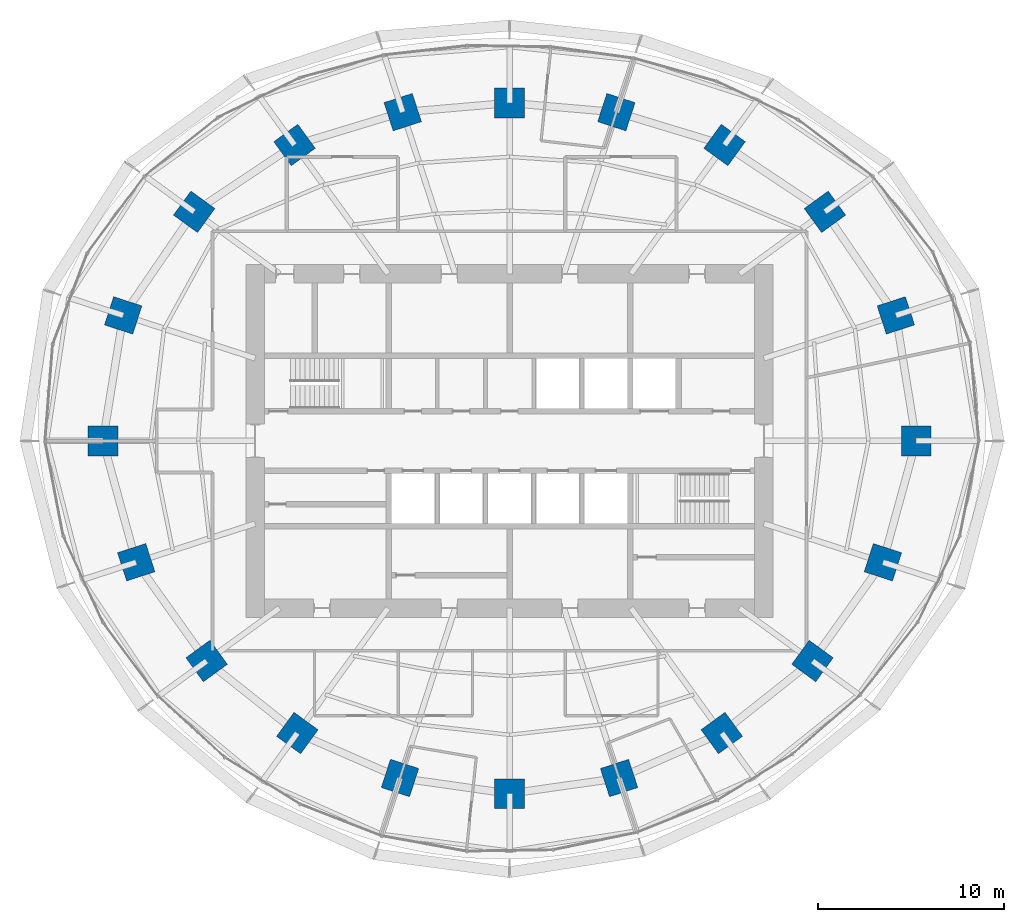
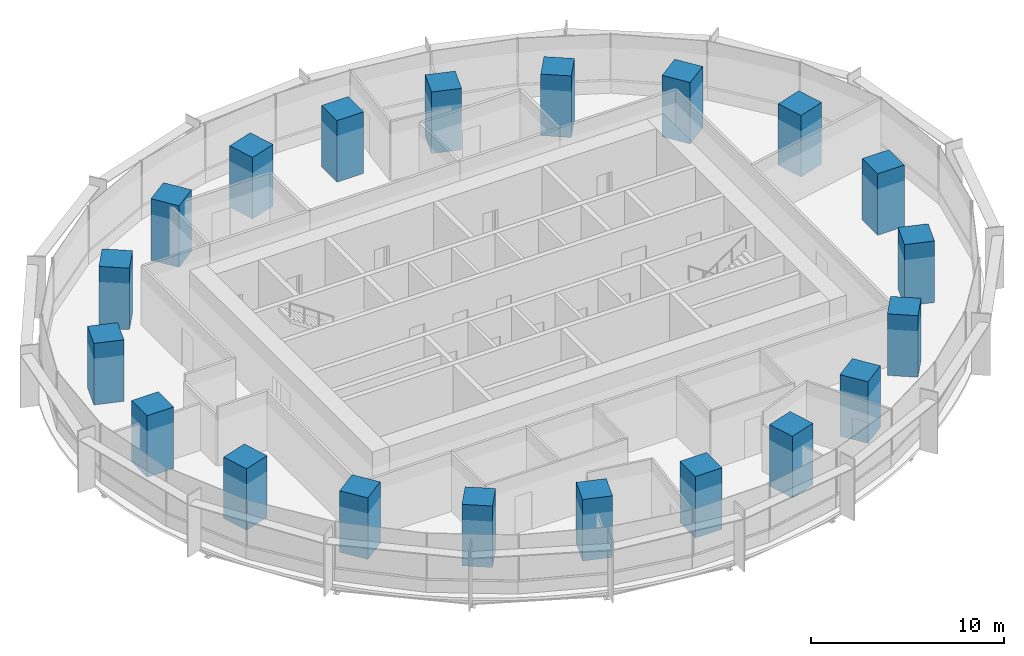
# One storey, part 1 of 14: 20 columns.
"""IFC4 building model written with IfcOpenShell, lengths in metres."""

from ifc_helpers import new_model, si_unit, direction, frame, origin, origin_2d, place, context, subcontext, project, spatial, rectangle, extrude, material, material_profile, profile_set, type_object, element, save


model = new_model("IFC4")

# Units and contexts
model_context = context("Model", 3, precision=1e-05, world=origin(), true_north=direction((0.0, 1.0)))
body_context = subcontext(model_context, "Body", "Model", "MODEL_VIEW")
ifc_project = project(units=[si_unit("LENGTHUNIT", "METRE"), si_unit("AREAUNIT", "SQUARE_METRE"), si_unit("VOLUMEUNIT", "CUBIC_METRE"), si_unit("PLANEANGLEUNIT", "RADIAN"), si_unit("MASSUNIT", "GRAM", prefix="KILO")], contexts=[model_context])

# Site, building, storey
site_placement = place(None, origin())
site = spatial("IfcSite", under=ifc_project, at=site_placement, CompositionType="ELEMENT")
building_placement = place(site_placement, origin())
building = spatial("IfcBuilding", under=site, at=building_placement, Name="Marramba Exchange Tower", CompositionType="ELEMENT")
storey_placement = place(building_placement, frame((0.0, 0.0, 111.89990234375)))
storey = spatial("IfcBuildingStorey", under=building, at=storey_placement, Name="L26", CompositionType="ELEMENT", Elevation=111.89990234375)

# Columns
ifc_material = material(Name="Concrete N50", Category="concrete")
ifc_material_profile = material_profile(ifc_material, rectangle(XDim=1.60009765625, YDim=1.60009765625, at=origin_2d()), Name="RC 1600x1600")
ifc_profile_set = profile_set([ifc_material_profile], Name="Concrete N50")
column_type = type_object("IfcColumnType", Name="Perimeter column RC 1600x1600 N50", PredefinedType="COLUMN", material=ifc_profile_set)
for number, where, z_axis, x_axis, name in (
    (1, (21.89990234375, 0.0, 0.0), (0.0, 0.0, 1.0), (1.0, 0.0, 0.0), "Column TC01 L26"),
    (2, (20.808349609375, 6.760986328125, 0.0), (0.0, 0.0, 1.0), (0.951056516295, 0.309016994375, 0.0), "Column TC02 L26"),
    (3, (16.98583984375, 12.3408203125, 0.0), (0.0, 0.0, 1.0), (0.809016994375, 0.587785252292, 0.0), "Column TC03 L26"),
    (4, (11.581298828125, 15.9404296875, 0.0), (0.0, 0.0, 1.0), (0.587785252292, 0.809016994375, 0.0), "Column TC04 L26"),
    (5, (5.75390625, 17.70849609375, 0.0), (0.0, 0.0, 1.0), (0.309016994375, 0.951056516295, 0.0), "Column TC05 L26"),
    (6, (0.0, 18.2041015625, 0.0), (0.0, 0.0, 1.0), (0.0, 1.0, 0.0), "Column TC06 L26"),
    (7, (-5.75390625, 17.70849609375, 0.0), (0.0, 0.0, 1.0), (-0.309016994375, 0.951056516295, 0.0), "Column TC07 L26"),
    (8, (-11.581298828125, 15.9404296875, 0.0), (0.0, 0.0, 1.0), (-0.587785252292, 0.809016994375, 0.0), "Column TC08 L26"),
    (9, (-16.98583984375, 12.3408203125, 0.0), (0.0, 0.0, 1.0), (-0.809016994375, 0.587785252292, 0.0), "Column TC09 L26"),
    (10, (-20.808349609375, 6.760986328125, 0.0), (0.0, 0.0, 1.0), (-0.951056516295, 0.309016994375, 0.0), "Column TC10 L26"),
    (11, (-21.89990234375, 0.0, 0.0), (0.0, 0.0, 1.0), (-1.0, 0.0, 0.0), "Column TC11 L26"),
    (12, (-20.109375, -6.533935546875, 0.0), (0.0, 0.0, 1.0), (-0.951056516295, -0.309016994375, 0.0), "Column TC12 L26"),
    (13, (-16.3154296875, -11.853759765625, 0.0), (0.0, 0.0, 1.0), (-0.809016994375, -0.587785252292, 0.0), "Column TC13 L26"),
    (14, (-11.430419921875, -15.732666015625, 0.0), (0.0, 0.0, 1.0), (-0.587785252292, -0.809016994375, 0.0), "Column TC14 L26"),
    (15, (-5.899658203125, -18.156982421875, 0.0), (0.0, 0.0, 1.0), (-0.309016994375, -0.951056516295, 0.0), "Column TC15 L26"),
    (16, (0.0, -18.99609375, 0.0), (0.0, 0.0, 1.0), (0.0, -1.0, 0.0), "Column TC16 L26"),
    (17, (5.899658203125, -18.156982421875, 0.0), (0.0, 0.0, 1.0), (0.309016994375, -0.951056516295, 0.0), "Column TC17 L26"),
    (18, (11.430419921875, -15.732666015625, 0.0), (0.0, 0.0, 1.0), (0.587785252292, -0.809016994375, 0.0), "Column TC18 L26"),
    (19, (16.3154296875, -11.853759765625, 0.0), (0.0, 0.0, 1.0), (0.809016994375, -0.587785252292, 0.0), "Column TC19 L26"),
    (20, (20.109375, -6.533935546875, 0.0), (0.0, 0.0, 1.0), (0.951056516295, -0.309016994375, 0.0), "Column TC20 L26"),
):
    element("IfcColumn", number, at=place(storey_placement, frame(where, z_axis=z_axis, x_axis=x_axis)), inside=storey, type_object=column_type, Name=name, PredefinedType="COLUMN", context=body_context, shape_type="SweptSolid", body=[
        extrude(rectangle(XDim=1.60009765625, YDim=1.60009765625, at=origin_2d()), origin(), (0.0, 0.0, 1.0), 3.900146484375),
    ])

save(model, "model.ifc")
